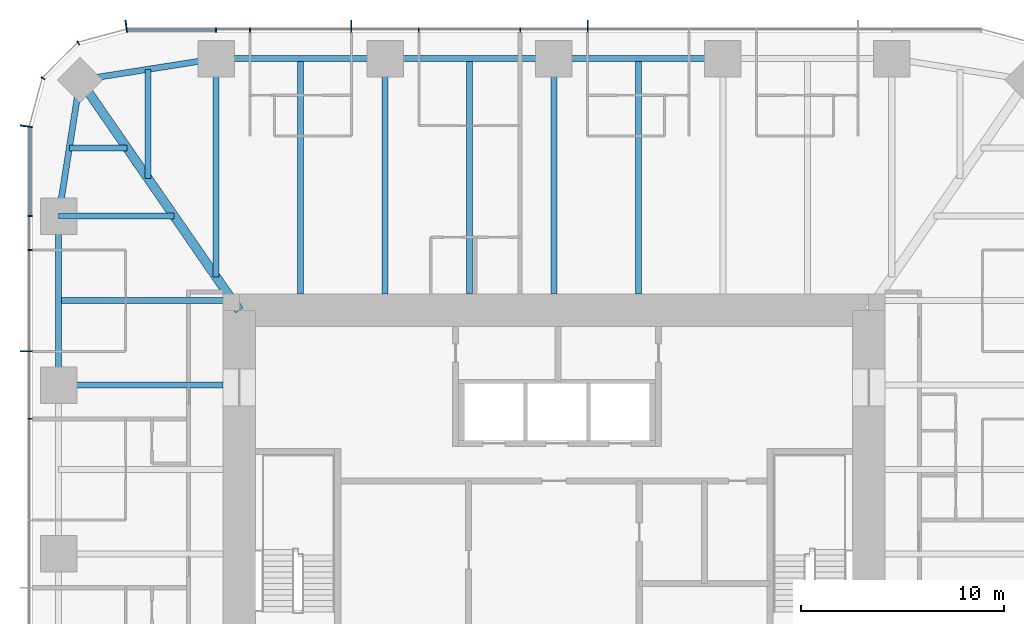
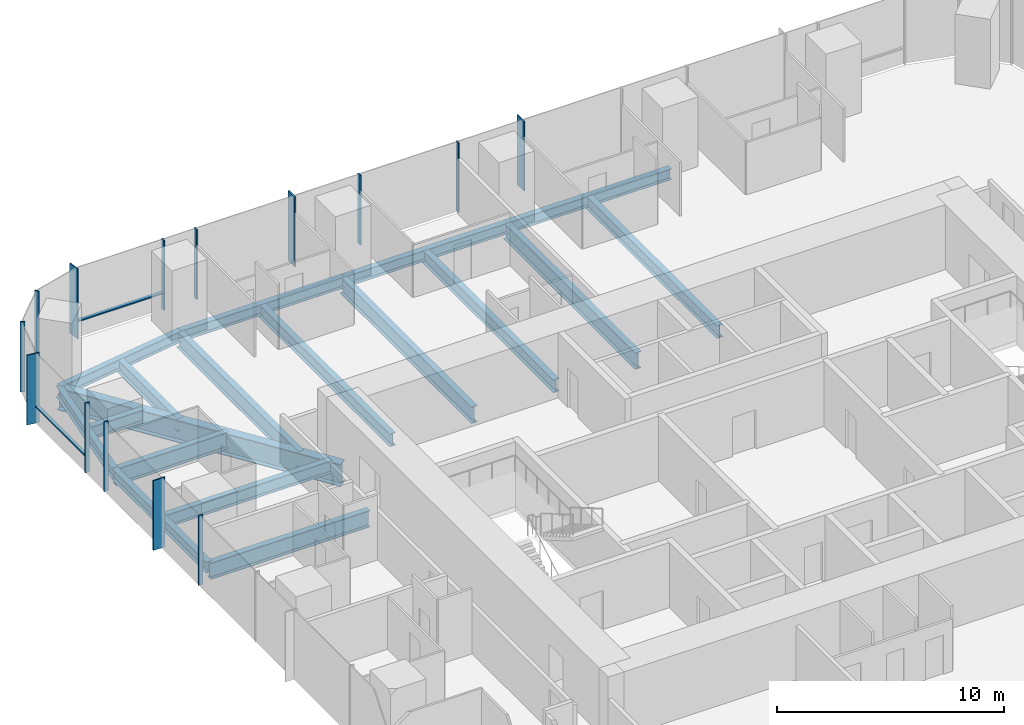
# One storey, part 5 of 13: 18 beams, 16 members, 3 elements without a shape of their own.
"""IFC4 building model written with IfcOpenShell, lengths in metres."""

from ifc_helpers import new_model, si_unit, direction, frame, origin, origin_2d, place, context, subcontext, project, spatial, rectangle, i_section, extrude, material, material_profile, profile_set, type_object, element, aggregate, save


model = new_model("IFC4")

# Units and contexts
model_context = context("Model", 3, precision=1e-05, world=origin(), true_north=direction((0.0, 1.0)))
body_context = subcontext(model_context, "Body", "Model", "MODEL_VIEW")
ifc_project = project(units=[si_unit("LENGTHUNIT", "METRE"), si_unit("AREAUNIT", "SQUARE_METRE"), si_unit("VOLUMEUNIT", "CUBIC_METRE"), si_unit("PLANEANGLEUNIT", "RADIAN"), si_unit("MASSUNIT", "GRAM", prefix="KILO")], contexts=[model_context])

# Site, building, storey
site_placement = place(None, origin())
site = spatial("IfcSite", under=ifc_project, at=site_placement, CompositionType="ELEMENT")
building_placement = place(site_placement, origin())
building = spatial("IfcBuilding", under=site, at=building_placement, Name="Khuree Lantern Residences", CompositionType="ELEMENT")
storey_placement = place(building_placement, frame((0.0, 0.0, 259.5)))
storey = spatial("IfcBuildingStorey", under=building, at=storey_placement, Name="L65", CompositionType="ELEMENT", Elevation=259.5)

# Beams
ifc_material_1 = material(Name="Steel S355", Category="steel")
ifc_material_profile_1 = material_profile(ifc_material_1, i_section(OverallWidth=0.300048828125, OverallDepth=0.68994140625, WebThickness=0.014404296875, FlangeThickness=0.027099609375, FilletRadius=0.027099609375, at=origin_2d()), Name="HE 700 A")
ifc_profile_set_1 = profile_set([ifc_material_profile_1], Name="Steel S355")
beam_type_1 = type_object("IfcBeamType", Name="B-34 SECONDARY BEAM HE 700 A", PredefinedType="BEAM", material=ifc_profile_set_1)
for number, where, z_axis, x_axis, name in (
    (1, (-12.47998046875, 24.39990234375, -0.594970703125), (0.0, -1.0, 0.0), (1.0, 0.0, 0.0), "Secondary beam N1"),
    (2, (-4.159912109375, 24.39990234375, -0.594970703125), (0.0, -1.0, 0.0), (1.0, 0.0, 0.0), "Secondary beam N2"),
    (3, (4.159912109375, 24.39990234375, -0.594970703125), (0.0, -1.0, 0.0), (1.0, 0.0, 0.0), "Secondary beam N3"),
):
    element("IfcBeam", number, at=place(storey_placement, frame(where, z_axis=z_axis, x_axis=x_axis)), inside=storey, type_object=beam_type_1, Name=name, PredefinedType="BEAM", context=body_context, shape_type="SweptSolid", body=[
        extrude(i_section(OverallWidth=0.300048828125, OverallDepth=0.68994140625, WebThickness=0.014404296875, FlangeThickness=0.027099609375, FilletRadius=0.027099609375, at=origin_2d()), origin(), (0.0, 0.0, 1.0), 11.599853515625),
    ])
beam_1_placement = place(storey_placement, frame((-24.39990234375, 12.47998046875, -0.594970703125), z_axis=(1.0, 0.0, 0.0), x_axis=(0.0, 1.0, 0.0)))
element("IfcBeam", 4, at=beam_1_placement, inside=storey, type_object=beam_type_1, Name="Secondary beam W5", PredefinedType="BEAM", context=body_context, shape_type="SweptSolid", body=[
    extrude(i_section(OverallWidth=0.300048828125, OverallDepth=0.68994140625, WebThickness=0.014404296875, FlangeThickness=0.027099609375, FilletRadius=0.027099609375, at=origin_2d()), origin(), (0.0, 0.0, 1.0), 8.56787109375),
])
beam_2_placement = place(storey_placement, frame((-23.872802734375, 19.992919921875, -0.594970703125), z_axis=(1.0, 0.0, 0.0), x_axis=(0.0, 1.0, 0.0)))
element("IfcBeam", 5, at=beam_2_placement, inside=storey, type_object=beam_type_1, Name="Secondary beam W6", PredefinedType="BEAM", context=body_context, shape_type="SweptSolid", body=[
    extrude(i_section(OverallWidth=0.300048828125, OverallDepth=0.68994140625, WebThickness=0.014404296875, FlangeThickness=0.027099609375, FilletRadius=0.027099609375, at=origin_2d()), origin(), (0.0, 0.0, 1.0), 2.845703125),
])
beam_3_placement = place(storey_placement, frame((-19.992919921875, 23.872802734375, -0.594970703125), z_axis=(0.0, -1.0, 0.0), x_axis=(1.0, 0.0, 0.0)))
element("IfcBeam", 6, at=beam_3_placement, inside=storey, type_object=beam_type_1, Name="Secondary beam N6", PredefinedType="BEAM", context=body_context, shape_type="SweptSolid", body=[
    extrude(i_section(OverallWidth=0.300048828125, OverallDepth=0.68994140625, WebThickness=0.014404296875, FlangeThickness=0.027099609375, FilletRadius=0.027099609375, at=origin_2d()), origin(), (0.0, 0.0, 1.0), 5.375732421875),
])
ifc_material_profile_2 = material_profile(ifc_material_1, i_section(OverallWidth=0.300048828125, OverallDepth=0.590087890625, WebThickness=0.012939453125, FlangeThickness=0.02490234375, FilletRadius=0.027099609375, at=origin_2d()), Name="HE 600 A")
ifc_profile_set_2 = profile_set([ifc_material_profile_2], Name="Steel S355")
beam_type_2 = type_object("IfcBeamType", Name="E-34 SPANDREL BEAM HE 600 A", PredefinedType="SPANDREL", material=ifc_profile_set_2)
beam_4_placement = place(storey_placement, frame((-16.639892578125, 24.39990234375, -0.544921875), z_axis=(1.0, 0.0, 0.0), x_axis=(0.0, 1.0, 0.0)))
element("IfcBeam", 7, at=beam_4_placement, inside=storey, type_object=beam_type_2, Name="Spandrel beam N1", PredefinedType="SPANDREL", context=body_context, shape_type="SweptSolid", body=[
    extrude(i_section(OverallWidth=0.300048828125, OverallDepth=0.590087890625, WebThickness=0.012939453125, FlangeThickness=0.02490234375, FilletRadius=0.027099609375, at=origin_2d()), origin(), (0.0, 0.0, 1.0), 8.31982421875),
])
for number, where, z_axis, x_axis, name in (
    (8, (-8.320068359375, 24.39990234375, -0.544921875), (1.0, 0.0, 0.0), (0.0, 1.0, 0.0), "Spandrel beam N2"),
    (9, (0.0, 24.39990234375, -0.544921875), (1.0, 0.0, 0.0), (0.0, 1.0, 0.0), "Spandrel beam N3"),
):
    element("IfcBeam", number, at=place(storey_placement, frame(where, z_axis=z_axis, x_axis=x_axis)), inside=storey, type_object=beam_type_2, Name=name, PredefinedType="SPANDREL", context=body_context, shape_type="SweptSolid", body=[
        extrude(i_section(OverallWidth=0.300048828125, OverallDepth=0.590087890625, WebThickness=0.012939453125, FlangeThickness=0.02490234375, FilletRadius=0.027099609375, at=origin_2d()), origin(), (0.0, 0.0, 1.0), 8.320068359375),
    ])
beam_5_placement = place(storey_placement, frame((-24.39990234375, 8.320068359375, -0.544921875), z_axis=(0.0, 1.0, 0.0), x_axis=(-1.0, 0.0, 0.0)))
element("IfcBeam", 10, at=beam_5_placement, inside=storey, type_object=beam_type_2, Name="Spandrel beam W5", PredefinedType="SPANDREL", context=body_context, shape_type="SweptSolid", body=[
    extrude(i_section(OverallWidth=0.300048828125, OverallDepth=0.590087890625, WebThickness=0.012939453125, FlangeThickness=0.02490234375, FilletRadius=0.027099609375, at=origin_2d()), origin(), (0.0, 0.0, 1.0), 8.31982421875),
])
for number, where, z_axis, x_axis, name in (
    (11, (-24.39990234375, 16.639892578125, -0.544921875), (0.155299507442, 0.98786743189, 0.0), (-0.98786743189, 0.155299507442, 0.0), "Spandrel beam W6"),
    (12, (-23.345703125, 23.345703125, -0.544921875), (0.98786743189, 0.155299507442, 0.0), (-0.155299507442, 0.98786743189, 0.0), "Spandrel beam N6"),
):
    element("IfcBeam", number, at=place(storey_placement, frame(where, z_axis=z_axis, x_axis=x_axis)), inside=storey, type_object=beam_type_2, Name=name, PredefinedType="SPANDREL", context=body_context, shape_type="SweptSolid", body=[
        extrude(i_section(OverallWidth=0.300048828125, OverallDepth=0.590087890625, WebThickness=0.012939453125, FlangeThickness=0.02490234375, FilletRadius=0.027099609375, at=origin_2d()), origin(), (0.0, 0.0, 1.0), 6.7880859375),
    ])

# Curtain wall, members
ifc_material_2 = material(Name="Bronze anodised aluminium", Category="aluminium")
curtain_wall_type_1 = type_object("IfcCurtainWallType", Name="CW-T1 TOWER FACE CURTAIN WALL", PredefinedType="USERDEFINED", material=ifc_material_2)
curtain_wall_1_placement = place(storey_placement, origin())
curtain_wall_1 = element("IfcCurtainWall", 13, at=curtain_wall_1_placement, inside=storey, type_object=curtain_wall_type_1, Name="L65 NORTH FACE CURTAIN WALL", ObjectType="Stick-built curtain wall", PredefinedType="USERDEFINED")
ifc_material_profile_3 = material_profile(ifc_material_2, rectangle(XDim=0.06494140625, YDim=0.60009765625, at=origin_2d()), Name="F1 65X600")
ifc_profile_set_3 = profile_set([ifc_material_profile_3], Name="Bronze anodised aluminium")
member_type_1 = type_object("IfcMemberType", Name="F1 BRONZE FIN MULLION TOWER 65X600", PredefinedType="MULLION", material=ifc_profile_set_3)
member_1_placement = place(storey_placement, frame((1.6640625, 26.0, 0.0), z_axis=(0.0, 0.0, 1.0), x_axis=(-1.0, 0.0, 0.0)))
member_1 = element("IfcMember", 14, at=member_1_placement, type_object=member_type_1, Name="L65 NORTH FACE FIN MULLION 23", PredefinedType="MULLION", context=body_context, shape_type="SweptSolid", body=[
    extrude(rectangle(XDim=0.06494140625, YDim=0.60009765625, at=origin_2d()), origin(), (0.0, 0.0, 1.0), 3.75),
])
member_2_placement = place(storey_placement, frame((-9.98388671875, 26.0, 0.0), z_axis=(0.0, 0.0, 1.0), x_axis=(-1.0, 0.0, 0.0)))
member_2 = element("IfcMember", 15, at=member_2_placement, type_object=member_type_1, Name="L65 NORTH FACE FIN MULLION 26", PredefinedType="MULLION", context=body_context, shape_type="SweptSolid", body=[
    extrude(rectangle(XDim=0.06494140625, YDim=0.60009765625, at=origin_2d()), origin(), (0.0, 0.0, 1.0), 3.75),
])

# Curtain wall, member
curtain_wall_type_2 = type_object("IfcCurtainWallType", Name="CW-T2 TOWER CORNER CURTAIN WALL", PredefinedType="USERDEFINED", material=ifc_material_2)
curtain_wall_2_placement = place(storey_placement, origin())
curtain_wall_2 = element("IfcCurtainWall", 16, at=curtain_wall_2_placement, inside=storey, type_object=curtain_wall_type_2, Name="L65 NORTH-WEST CORNER CURTAIN WALL", ObjectType="Faceted corner curtain wall", PredefinedType="USERDEFINED")
member_3_placement = place(storey_placement, frame((-21.06982421875, 26.0, 0.0), z_axis=(0.0, 0.0, 1.0), x_axis=(-0.991444862943, -0.130526180298, 0.0)))
member_3 = element("IfcMember", 17, at=member_3_placement, type_object=member_type_1, Name="L65 NORTH-WEST CORNER FIN MULLION 29", PredefinedType="MULLION", context=body_context, shape_type="SweptSolid", body=[
    extrude(rectangle(XDim=0.06494140625, YDim=0.60009765625, at=origin_2d()), origin(), (0.0, 0.0, 1.0), 3.75),
])

# Curtain wall, members
curtain_wall_3_placement = place(storey_placement, origin())
curtain_wall_3 = element("IfcCurtainWall", 18, at=curtain_wall_3_placement, inside=storey, type_object=curtain_wall_type_1, Name="L65 WEST FACE CURTAIN WALL", ObjectType="Stick-built curtain wall", PredefinedType="USERDEFINED")
member_4_placement = place(storey_placement, frame((-26.0, 21.06982421875, 0.0), z_axis=(0.0, 0.0, 1.0), x_axis=(-0.130526180298, -0.991444862943, 0.0)))
member_4 = element("IfcMember", 19, at=member_4_placement, type_object=member_type_1, Name="L65 WEST FACE FIN MULLION 32", PredefinedType="MULLION", context=body_context, shape_type="SweptSolid", body=[
    extrude(rectangle(XDim=0.06494140625, YDim=0.60009765625, at=origin_2d()), origin(), (0.0, 0.0, 1.0), 3.75),
])
member_5_placement = place(storey_placement, frame((-26.0, 9.98388671875, 0.0), z_axis=(0.0, 0.0, 1.0), x_axis=(0.0, -1.0, 0.0)))
member_5 = element("IfcMember", 20, at=member_5_placement, type_object=member_type_1, Name="L65 WEST FACE FIN MULLION 35", PredefinedType="MULLION", context=body_context, shape_type="SweptSolid", body=[
    extrude(rectangle(XDim=0.06494140625, YDim=0.60009765625, at=origin_2d()), origin(), (0.0, 0.0, 1.0), 3.75),
])

# Beams
ifc_material_profile_4 = material_profile(ifc_material_1, i_section(OverallWidth=0.300048828125, OverallDepth=0.89990234375, WebThickness=0.0185546875, FlangeThickness=0.034912109375, FilletRadius=0.030029296875, at=origin_2d()), Name="HE 900 B")
ifc_profile_set_4 = profile_set([ifc_material_profile_4], Name="Steel S355")
beam_type_3 = type_object("IfcBeamType", Name="G-34 GIRDER HE 900 B", PredefinedType="BEAM", material=ifc_profile_set_4)
beam_6_placement = place(storey_placement, frame((-16.639892578125, 24.39990234375, -0.699951171875), z_axis=(0.0, -1.0, 0.0), x_axis=(1.0, 0.0, 0.0)))
element("IfcBeam", 21, at=beam_6_placement, inside=storey, type_object=beam_type_3, Name="Girder N1", PredefinedType="BEAM", context=body_context, shape_type="SweptSolid", body=[
    extrude(i_section(OverallWidth=0.300048828125, OverallDepth=0.89990234375, WebThickness=0.0185546875, FlangeThickness=0.034912109375, FilletRadius=0.030029296875, at=origin_2d()), origin(), (0.0, 0.0, 1.0), 10.751220703125),
])
for number, where, z_axis, x_axis, name in (
    (22, (-8.320068359375, 24.39990234375, -0.699951171875), (0.0, -1.0, 0.0), (1.0, 0.0, 0.0), "Girder N2"),
    (23, (0.0, 24.39990234375, -0.699951171875), (0.0, -1.0, 0.0), (1.0, 0.0, 0.0), "Girder N3"),
):
    element("IfcBeam", number, at=place(storey_placement, frame(where, z_axis=z_axis, x_axis=x_axis)), inside=storey, type_object=beam_type_3, Name=name, PredefinedType="BEAM", context=body_context, shape_type="SweptSolid", body=[
        extrude(i_section(OverallWidth=0.300048828125, OverallDepth=0.89990234375, WebThickness=0.0185546875, FlangeThickness=0.034912109375, FilletRadius=0.030029296875, at=origin_2d()), origin(), (0.0, 0.0, 1.0), 11.599853515625),
    ])
beam_7_placement = place(storey_placement, frame((-24.39990234375, 8.320068359375, -0.699951171875), z_axis=(1.0, 0.0, 0.0), x_axis=(0.0, 1.0, 0.0)))
element("IfcBeam", 24, at=beam_7_placement, inside=storey, type_object=beam_type_3, Name="Girder W4", PredefinedType="BEAM", context=body_context, shape_type="SweptSolid", body=[
    extrude(i_section(OverallWidth=0.300048828125, OverallDepth=0.89990234375, WebThickness=0.0185546875, FlangeThickness=0.034912109375, FilletRadius=0.030029296875, at=origin_2d()), origin(), (0.0, 0.0, 1.0), 8.099853515625),
])
beam_8_placement = place(storey_placement, frame((-24.39990234375, 16.639892578125, -0.699951171875), z_axis=(1.0, 0.0, 0.0), x_axis=(0.0, 1.0, 0.0)))
element("IfcBeam", 25, at=beam_8_placement, inside=storey, type_object=beam_type_3, Name="Girder W5", PredefinedType="BEAM", context=body_context, shape_type="SweptSolid", body=[
    extrude(i_section(OverallWidth=0.300048828125, OverallDepth=0.89990234375, WebThickness=0.0185546875, FlangeThickness=0.034912109375, FilletRadius=0.030029296875, at=origin_2d()), origin(), (0.0, 0.0, 1.0), 5.69140625),
])
ifc_material_profile_5 = material_profile(ifc_material_1, i_section(OverallWidth=0.449951171875, OverallDepth=1.199951171875, WebThickness=0.02490234375, FlangeThickness=0.044921875, at=origin_2d()), Name="WELDED I 1200X450X25X45")
ifc_profile_set_5 = profile_set([ifc_material_profile_5], Name="Steel S355")
beam_type_4 = type_object("IfcBeamType", Name="GD-34 CORNER GIRDER WELDED I 1200X450X25X45", PredefinedType="BEAM", material=ifc_profile_set_5)
beam_9_placement = place(storey_placement, frame((-23.345703125, 23.345703125, -0.85009765625), z_axis=(0.56876813501, -0.822497907959, 0.0), x_axis=(0.822497907959, 0.56876813501, 0.0)))
element("IfcBeam", 26, at=beam_9_placement, inside=storey, type_object=beam_type_4, Name="Corner girder NW", PredefinedType="BEAM", context=body_context, shape_type="SweptSolid", body=[
    extrude(i_section(OverallWidth=0.449951171875, OverallDepth=1.199951171875, WebThickness=0.02490234375, FlangeThickness=0.044921875, at=origin_2d()), origin(), (0.0, 0.0, 1.0), 13.794189453125),
])

# Member
ifc_material_profile_6 = material_profile(ifc_material_2, rectangle(XDim=0.06494140625, YDim=0.219970703125, at=origin_2d()), Name="M1 65X220")
ifc_profile_set_6 = profile_set([ifc_material_profile_6], Name="Bronze anodised aluminium")
member_type_2 = type_object("IfcMemberType", Name="M1 BRONZE MULLION TOWER 65X220", PredefinedType="MULLION", material=ifc_profile_set_6)
member_6_placement = place(storey_placement, frame((-1.6640625, 25.81005859375, 0.0), z_axis=(0.0, 0.0, 1.0), x_axis=(-1.0, 0.0, 0.0)))
member_6 = element("IfcMember", 27, at=member_6_placement, type_object=member_type_2, Name="L65 NORTH FACE MULLION 24", PredefinedType="MULLION", context=body_context, shape_type="SweptSolid", body=[
    extrude(rectangle(XDim=0.06494140625, YDim=0.219970703125, at=origin_2d()), origin(), (0.0, 0.0, 1.0), 3.75),
])

member_7_placement = place(storey_placement, frame((-6.656005859375, 25.81005859375, 0.0), z_axis=(0.0, 0.0, 1.0), x_axis=(-1.0, 0.0, 0.0)))
member_7 = element("IfcMember", 28, at=member_7_placement, type_object=member_type_2, Name="L65 NORTH FACE MULLION 25", PredefinedType="MULLION", context=body_context, shape_type="SweptSolid", body=[
    extrude(rectangle(XDim=0.06494140625, YDim=0.219970703125, at=origin_2d()), origin(), (0.0, 0.0, 1.0), 3.75),
])

member_8_placement = place(storey_placement, frame((-14.97607421875, 25.81005859375, 0.0), z_axis=(0.0, 0.0, 1.0), x_axis=(-1.0, 0.0, 0.0)))
member_8 = element("IfcMember", 29, at=member_8_placement, type_object=member_type_2, Name="L65 NORTH FACE MULLION 27", PredefinedType="MULLION", context=body_context, shape_type="SweptSolid", body=[
    extrude(rectangle(XDim=0.06494140625, YDim=0.219970703125, at=origin_2d()), origin(), (0.0, 0.0, 1.0), 3.75),
])

member_9_placement = place(storey_placement, frame((-16.639892578125, 25.81005859375, 0.0), z_axis=(0.0, 0.0, 1.0), x_axis=(-1.0, 0.0, 0.0)))
member_9 = element("IfcMember", 30, at=member_9_placement, type_object=member_type_2, Name="L65 NORTH FACE MULLION 28", PredefinedType="MULLION", context=body_context, shape_type="SweptSolid", body=[
    extrude(rectangle(XDim=0.06494140625, YDim=0.219970703125, at=origin_2d()), origin(), (0.0, 0.0, 1.0), 3.75),
])

member_10_placement = place(storey_placement, frame((-23.429931640625, 25.17236328125, 0.0), z_axis=(0.0, 0.0, 1.0), x_axis=(-0.866025409797, -0.499999989586, 0.0)))
member_10 = element("IfcMember", 31, at=member_10_placement, type_object=member_type_2, Name="L65 NORTH-WEST CORNER MULLION 30", PredefinedType="MULLION", context=body_context, shape_type="SweptSolid", body=[
    extrude(rectangle(XDim=0.06494140625, YDim=0.219970703125, at=origin_2d()), origin(), (0.0, 0.0, 1.0), 3.75),
])

member_11_placement = place(storey_placement, frame((-25.17236328125, 23.429931640625, 0.0), z_axis=(0.0, 0.0, 1.0), x_axis=(-0.499999989586, -0.866025409797, 0.0)))
member_11 = element("IfcMember", 32, at=member_11_placement, type_object=member_type_2, Name="L65 NORTH-WEST CORNER MULLION 31", PredefinedType="MULLION", context=body_context, shape_type="SweptSolid", body=[
    extrude(rectangle(XDim=0.06494140625, YDim=0.219970703125, at=origin_2d()), origin(), (0.0, 0.0, 1.0), 3.75),
])

aggregate(curtain_wall_2, [member_3, member_10, member_11])

member_12_placement = place(storey_placement, frame((-25.81005859375, 16.639892578125, 0.0), z_axis=(0.0, 0.0, 1.0), x_axis=(0.0, -1.0, 0.0)))
member_12 = element("IfcMember", 33, at=member_12_placement, type_object=member_type_2, Name="L65 WEST FACE MULLION 33", PredefinedType="MULLION", context=body_context, shape_type="SweptSolid", body=[
    extrude(rectangle(XDim=0.06494140625, YDim=0.219970703125, at=origin_2d()), origin(), (0.0, 0.0, 1.0), 3.75),
])

member_13_placement = place(storey_placement, frame((-25.81005859375, 14.97607421875, 0.0), z_axis=(0.0, 0.0, 1.0), x_axis=(0.0, -1.0, 0.0)))
member_13 = element("IfcMember", 34, at=member_13_placement, type_object=member_type_2, Name="L65 WEST FACE MULLION 34", PredefinedType="MULLION", context=body_context, shape_type="SweptSolid", body=[
    extrude(rectangle(XDim=0.06494140625, YDim=0.219970703125, at=origin_2d()), origin(), (0.0, 0.0, 1.0), 3.75),
])

member_14_placement = place(storey_placement, frame((-25.81005859375, 6.656005859375, 0.0), z_axis=(0.0, 0.0, 1.0), x_axis=(0.0, -1.0, 0.0)))
member_14 = element("IfcMember", 35, at=member_14_placement, type_object=member_type_2, Name="L65 WEST FACE MULLION 36", PredefinedType="MULLION", context=body_context, shape_type="SweptSolid", body=[
    extrude(rectangle(XDim=0.06494140625, YDim=0.219970703125, at=origin_2d()), origin(), (0.0, 0.0, 1.0), 3.75),
])

ifc_material_profile_7 = material_profile(ifc_material_2, rectangle(XDim=0.179931640625, YDim=0.06494140625, at=origin_2d()), Name="T1 180X65")
ifc_profile_set_7 = profile_set([ifc_material_profile_7], Name="Bronze anodised aluminium")
member_type_3 = type_object("IfcMemberType", Name="TRANSOM T1 TOWER 180X65", PredefinedType="USERDEFINED", material=ifc_profile_set_7)
member_15_placement = place(storey_placement, frame((-16.672607421875, 25.820068359375, 0.89990234375), z_axis=(-1.0, 0.0, 0.0), x_axis=(0.0, -1.0, 0.0)))
member_15 = element("IfcMember", 36, at=member_15_placement, type_object=member_type_3, Name="L65 NORTH FACE TRANSOM 28.1", ObjectType="Transom", PredefinedType="USERDEFINED", context=body_context, shape_type="SweptSolid", body=[
    extrude(rectangle(XDim=0.179931640625, YDim=0.06494140625, at=origin_2d()), origin(), (0.0, 0.0, 1.0), 4.328857421875),
])

aggregate(curtain_wall_1, [member_1, member_6, member_7, member_2, member_8, member_9, member_15])

member_16_placement = place(storey_placement, frame((-25.820068359375, 21.00146484375, 0.89990234375), z_axis=(0.0, -1.0, 0.0), x_axis=(1.0, 0.0, 0.0)))
member_16 = element("IfcMember", 37, at=member_16_placement, type_object=member_type_3, Name="L65 WEST FACE TRANSOM 32.1", ObjectType="Transom", PredefinedType="USERDEFINED", context=body_context, shape_type="SweptSolid", body=[
    extrude(rectangle(XDim=0.179931640625, YDim=0.06494140625, at=origin_2d()), origin(), (0.0, 0.0, 1.0), 4.328857421875),
])

aggregate(curtain_wall_3, [member_4, member_12, member_13, member_5, member_14, member_16])

save(model, "model.ifc")
